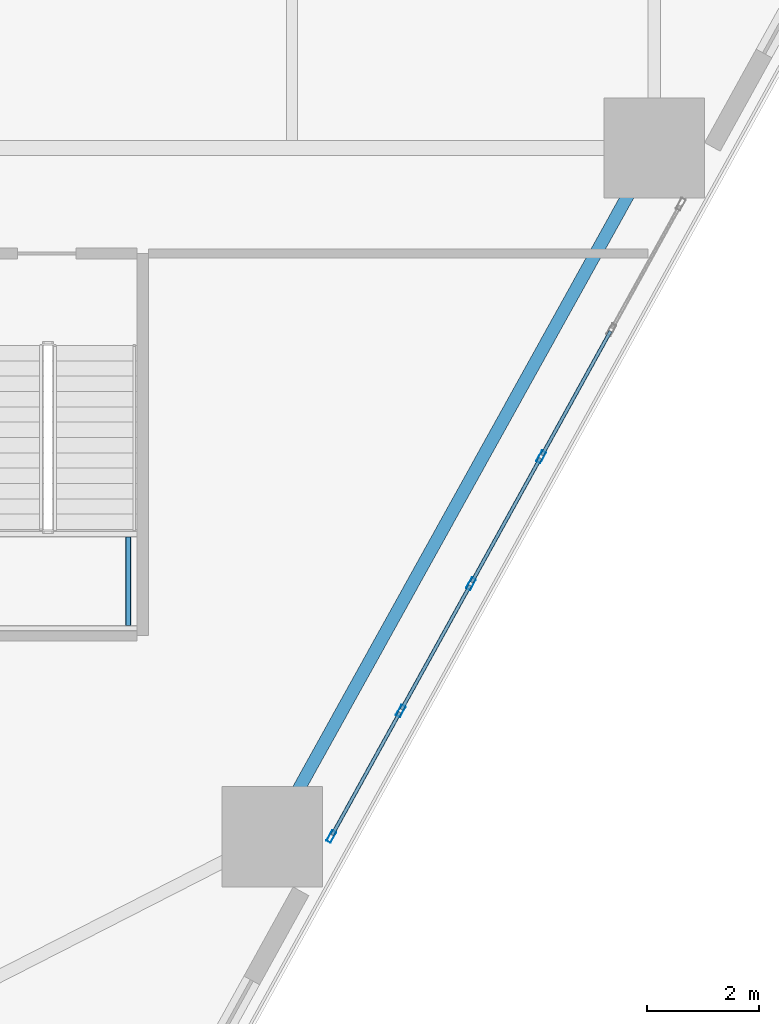
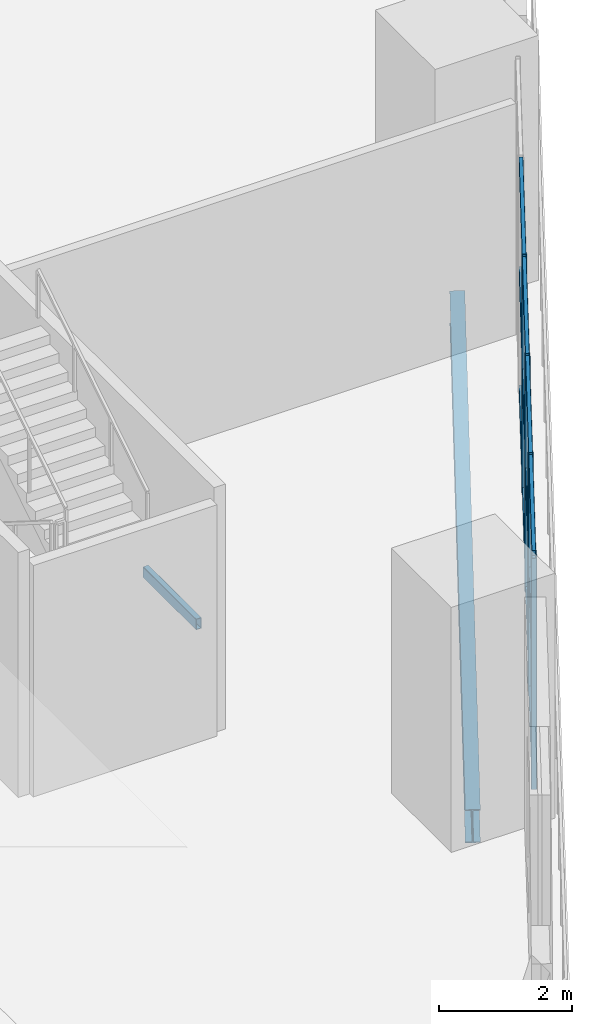
# One storey, part 2 of 18: 16 members, 2 beams, 1 element without a shape of its own.
"""IFC4 building model written with IfcOpenShell, lengths in metres."""

from ifc_helpers import new_model, si_unit, direction, frame, origin, origin_2d, place, context, subcontext, project, spatial, hollow_rectangle, i_section, extrude, material, layer, layer_set, material_profile, profile_set, type_object, element, aggregate, save


model = new_model("IFC4")

# Units and contexts
model_context = context("Model", 3, precision=1e-05, world=origin(), true_north=direction((0.0, 1.0)))
body_context = subcontext(model_context, "Body", "Model", "MODEL_VIEW")
ifc_project = project(units=[si_unit("LENGTHUNIT", "METRE"), si_unit("AREAUNIT", "SQUARE_METRE"), si_unit("VOLUMEUNIT", "CUBIC_METRE"), si_unit("PLANEANGLEUNIT", "RADIAN"), si_unit("MASSUNIT", "GRAM", prefix="KILO")], contexts=[model_context])

# Site, building, storey
site_placement = place(None, origin())
site = spatial("IfcSite", under=ifc_project, at=site_placement, CompositionType="ELEMENT")
building_placement = place(site_placement, origin())
building = spatial("IfcBuilding", under=site, at=building_placement, Name="Cinnabar Lancet Tower", CompositionType="ELEMENT")
storey_placement = place(building_placement, frame((0.0, 0.0, 10.5)))
storey = spatial("IfcBuildingStorey", under=building, at=storey_placement, Name="L02", CompositionType="ELEMENT", Elevation=10.5)

# Curtain wall, members
ifc_material_1 = material(Name="Thermally broken bronze-anodized aluminium and low-E glass", Category="aluminium")
ifc_layer = layer(ifc_material_1, 0.179931640625)
ifc_layer_set = layer_set([ifc_layer], Name="Thermally broken bronze-anodized aluminium and low-E glass")
curtain_wall_type = type_object("IfcCurtainWallType", Name="ENV-CW-SYS-02", PredefinedType="NOTDEFINED", material=ifc_layer_set)
curtain_wall_placement = place(storey_placement, origin())
curtain_wall = element("IfcCurtainWall", 1, at=curtain_wall_placement, inside=storey, type_object=curtain_wall_type, Name="L02 Face 2 Feature Curtain Wall", PredefinedType="NOTDEFINED")
ifc_material_2 = material(Name="Anodized architectural aluminium 6063-T6", Category="aluminium")
ifc_material_profile_1 = material_profile(ifc_material_2, hollow_rectangle(XDim=0.0849609375, YDim=0.219970703125, WallThickness=0.0048828125, InnerFilletRadius=0.00244140625, OuterFilletRadius=0.007568359375, at=origin_2d()), Name="CW-MUL 220x85x5")
ifc_profile_set_1 = profile_set([ifc_material_profile_1], Name="Anodized architectural aluminium 6063-T6")
member_type_1 = type_object("IfcMemberType", Name="ENV-CW-MUL-220", PredefinedType="MULLION", material=ifc_profile_set_1)
member_1_placement = place(storey_placement, frame((54.1005859375, 7.34619140625, 0.0), z_axis=(0.0, 0.0, 1.0), x_axis=(-0.875242391442, 0.48368456273, 0.0)))
member_1 = element("IfcMember", 2, at=member_1_placement, type_object=member_type_1, Name="CW-02 mullion 1", PredefinedType="MULLION", context=body_context, shape_type="SweptSolid", body=[
    extrude(hollow_rectangle(XDim=0.0849609375, YDim=0.219970703125, WallThickness=0.0048828125, InnerFilletRadius=0.00244140625, OuterFilletRadius=0.007568359375, at=origin_2d()), origin(), (0.0, 0.0, 1.0), 4.25),
])
member_2_placement = place(storey_placement, frame((55.344970703125, 9.59814453125, 0.0), z_axis=(0.0, 0.0, 1.0), x_axis=(-0.875242391442, 0.48368456273, 0.0)))
member_2 = element("IfcMember", 3, at=member_2_placement, type_object=member_type_1, Name="CW-02 mullion 2", PredefinedType="MULLION", context=body_context, shape_type="SweptSolid", body=[
    extrude(hollow_rectangle(XDim=0.0849609375, YDim=0.219970703125, WallThickness=0.0048828125, InnerFilletRadius=0.00244140625, OuterFilletRadius=0.007568359375, at=origin_2d()), origin(), (0.0, 0.0, 1.0), 4.25),
])
member_3_placement = place(storey_placement, frame((56.60400390625, 11.87646484375, 0.0), z_axis=(0.0, 0.0, 1.0), x_axis=(-0.875242391442, 0.48368456273, 0.0)))
member_3 = element("IfcMember", 4, at=member_3_placement, type_object=member_type_1, Name="CW-02 mullion 3", PredefinedType="MULLION", context=body_context, shape_type="SweptSolid", body=[
    extrude(hollow_rectangle(XDim=0.0849609375, YDim=0.219970703125, WallThickness=0.0048828125, InnerFilletRadius=0.00244140625, OuterFilletRadius=0.007568359375, at=origin_2d()), origin(), (0.0, 0.0, 1.0), 4.25),
])
member_4_placement = place(storey_placement, frame((57.863037109375, 14.154541015625, 0.0), z_axis=(0.0, 0.0, 1.0), x_axis=(-0.875242391442, 0.48368456273, 0.0)))
member_4 = element("IfcMember", 5, at=member_4_placement, type_object=member_type_1, Name="CW-02 mullion 4", PredefinedType="MULLION", context=body_context, shape_type="SweptSolid", body=[
    extrude(hollow_rectangle(XDim=0.0849609375, YDim=0.219970703125, WallThickness=0.0048828125, InnerFilletRadius=0.00244140625, OuterFilletRadius=0.007568359375, at=origin_2d()), origin(), (0.0, 0.0, 1.0), 4.25),
])
ifc_material_3 = material(Name="Anodized architectural aluminium 6063-T6", Category="aluminium")
ifc_material_profile_2 = material_profile(ifc_material_3, hollow_rectangle(XDim=0.06494140625, YDim=0.14990234375, WallThickness=0.00390625, InnerFilletRadius=0.001953125, OuterFilletRadius=0.006103515625, at=origin_2d()), Name="CW-TRN 150x65x4")
ifc_profile_set_2 = profile_set([ifc_material_profile_2], Name="Anodized architectural aluminium 6063-T6")
member_type_2 = type_object("IfcMemberType", Name="ENV-CW-TRN-160", PredefinedType="USERDEFINED", material=ifc_profile_set_2)
member_5_placement = place(storey_placement, frame((54.114990234375, 7.37255859375, 0.030029296875), z_axis=(0.483711571576, 0.875227465019, 0.0), x_axis=(-0.875227465019, 0.483711571576, 0.0)))
member_5 = element("IfcMember", 6, at=member_5_placement, type_object=member_type_2, Name="CW-02 transom 1.1", ObjectType="TRANSOM", PredefinedType="USERDEFINED", context=body_context, shape_type="SweptSolid", body=[
    extrude(hollow_rectangle(XDim=0.06494140625, YDim=0.14990234375, WallThickness=0.00390625, InnerFilletRadius=0.001953125, OuterFilletRadius=0.006103515625, at=origin_2d()), origin(), (0.0, 0.0, 1.0), 2.512939453125),
])
member_6_placement = place(storey_placement, frame((54.114990234375, 7.37255859375, 2.2099609375), z_axis=(0.483711571576, 0.875227465019, 0.0), x_axis=(-0.875227465019, 0.483711571576, 0.0)))
member_6 = element("IfcMember", 7, at=member_6_placement, type_object=member_type_2, Name="CW-02 transom 1.2", ObjectType="TRANSOM", PredefinedType="USERDEFINED", context=body_context, shape_type="SweptSolid", body=[
    extrude(hollow_rectangle(XDim=0.06494140625, YDim=0.14990234375, WallThickness=0.00390625, InnerFilletRadius=0.001953125, OuterFilletRadius=0.006103515625, at=origin_2d()), origin(), (0.0, 0.0, 1.0), 2.512939453125),
])
member_7_placement = place(storey_placement, frame((54.114990234375, 7.37255859375, 4.219970703125), z_axis=(0.483711571576, 0.875227465019, 0.0), x_axis=(-0.875227465019, 0.483711571576, 0.0)))
member_7 = element("IfcMember", 8, at=member_7_placement, type_object=member_type_2, Name="CW-02 transom 1.3", ObjectType="TRANSOM", PredefinedType="USERDEFINED", context=body_context, shape_type="SweptSolid", body=[
    extrude(hollow_rectangle(XDim=0.06494140625, YDim=0.14990234375, WallThickness=0.00390625, InnerFilletRadius=0.001953125, OuterFilletRadius=0.006103515625, at=origin_2d()), origin(), (0.0, 0.0, 1.0), 2.512939453125),
])
member_8_placement = place(storey_placement, frame((55.359619140625, 9.62451171875, 0.030029296875), z_axis=(0.483701595558, 0.875232978386, 0.0), x_axis=(-0.875232978386, 0.483701595558, 0.0)))
member_8 = element("IfcMember", 9, at=member_8_placement, type_object=member_type_2, Name="CW-02 transom 2.1", ObjectType="TRANSOM", PredefinedType="USERDEFINED", context=body_context, shape_type="SweptSolid", body=[
    extrude(hollow_rectangle(XDim=0.06494140625, YDim=0.14990234375, WallThickness=0.00390625, InnerFilletRadius=0.001953125, OuterFilletRadius=0.006103515625, at=origin_2d()), origin(), (0.0, 0.0, 1.0), 2.54296875),
])
member_9_placement = place(storey_placement, frame((55.359619140625, 9.62451171875, 2.2099609375), z_axis=(0.483701595558, 0.875232978386, 0.0), x_axis=(-0.875232978386, 0.483701595558, 0.0)))
member_9 = element("IfcMember", 10, at=member_9_placement, type_object=member_type_2, Name="CW-02 transom 2.2", ObjectType="TRANSOM", PredefinedType="USERDEFINED", context=body_context, shape_type="SweptSolid", body=[
    extrude(hollow_rectangle(XDim=0.06494140625, YDim=0.14990234375, WallThickness=0.00390625, InnerFilletRadius=0.001953125, OuterFilletRadius=0.006103515625, at=origin_2d()), origin(), (0.0, 0.0, 1.0), 2.54296875),
])
member_10_placement = place(storey_placement, frame((55.359619140625, 9.62451171875, 4.219970703125), z_axis=(0.483701595558, 0.875232978386, 0.0), x_axis=(-0.875232978386, 0.483701595558, 0.0)))
member_10 = element("IfcMember", 11, at=member_10_placement, type_object=member_type_2, Name="CW-02 transom 2.3", ObjectType="TRANSOM", PredefinedType="USERDEFINED", context=body_context, shape_type="SweptSolid", body=[
    extrude(hollow_rectangle(XDim=0.06494140625, YDim=0.14990234375, WallThickness=0.00390625, InnerFilletRadius=0.001953125, OuterFilletRadius=0.006103515625, at=origin_2d()), origin(), (0.0, 0.0, 1.0), 2.54296875),
])
member_11_placement = place(storey_placement, frame((56.618408203125, 11.902587890625, 0.030029296875), z_axis=(0.483660952196, 0.875255438898, 0.0), x_axis=(-0.875255438898, 0.483660952196, 0.0)))
member_11 = element("IfcMember", 12, at=member_11_placement, type_object=member_type_2, Name="CW-02 transom 3.1", ObjectType="TRANSOM", PredefinedType="USERDEFINED", context=body_context, shape_type="SweptSolid", body=[
    extrude(hollow_rectangle(XDim=0.06494140625, YDim=0.14990234375, WallThickness=0.00390625, InnerFilletRadius=0.001953125, OuterFilletRadius=0.006103515625, at=origin_2d()), origin(), (0.0, 0.0, 1.0), 2.54296875),
])
member_12_placement = place(storey_placement, frame((56.618408203125, 11.902587890625, 2.2099609375), z_axis=(0.483660952196, 0.875255438898, 0.0), x_axis=(-0.875255438898, 0.483660952196, 0.0)))
member_12 = element("IfcMember", 13, at=member_12_placement, type_object=member_type_2, Name="CW-02 transom 3.2", ObjectType="TRANSOM", PredefinedType="USERDEFINED", context=body_context, shape_type="SweptSolid", body=[
    extrude(hollow_rectangle(XDim=0.06494140625, YDim=0.14990234375, WallThickness=0.00390625, InnerFilletRadius=0.001953125, OuterFilletRadius=0.006103515625, at=origin_2d()), origin(), (0.0, 0.0, 1.0), 2.54296875),
])
member_13_placement = place(storey_placement, frame((56.618408203125, 11.902587890625, 4.219970703125), z_axis=(0.483660952196, 0.875255438898, 0.0), x_axis=(-0.875255438898, 0.483660952196, 0.0)))
member_13 = element("IfcMember", 14, at=member_13_placement, type_object=member_type_2, Name="CW-02 transom 3.3", ObjectType="TRANSOM", PredefinedType="USERDEFINED", context=body_context, shape_type="SweptSolid", body=[
    extrude(hollow_rectangle(XDim=0.06494140625, YDim=0.14990234375, WallThickness=0.00390625, InnerFilletRadius=0.001953125, OuterFilletRadius=0.006103515625, at=origin_2d()), origin(), (0.0, 0.0, 1.0), 2.54296875),
])
member_14_placement = place(storey_placement, frame((57.87744140625, 14.180908203125, 0.030029296875), z_axis=(0.483701595558, 0.875232978386, 0.0), x_axis=(-0.875232978386, 0.483701595558, 0.0)))
member_14 = element("IfcMember", 15, at=member_14_placement, type_object=member_type_2, Name="CW-02 transom 4.1", ObjectType="TRANSOM", PredefinedType="USERDEFINED", context=body_context, shape_type="SweptSolid", body=[
    extrude(hollow_rectangle(XDim=0.06494140625, YDim=0.14990234375, WallThickness=0.00390625, InnerFilletRadius=0.001953125, OuterFilletRadius=0.006103515625, at=origin_2d()), origin(), (0.0, 0.0, 1.0), 2.54296875),
])
member_15_placement = place(storey_placement, frame((57.87744140625, 14.180908203125, 2.2099609375), z_axis=(0.483701595558, 0.875232978386, 0.0), x_axis=(-0.875232978386, 0.483701595558, 0.0)))
member_15 = element("IfcMember", 16, at=member_15_placement, type_object=member_type_2, Name="CW-02 transom 4.2", ObjectType="TRANSOM", PredefinedType="USERDEFINED", context=body_context, shape_type="SweptSolid", body=[
    extrude(hollow_rectangle(XDim=0.06494140625, YDim=0.14990234375, WallThickness=0.00390625, InnerFilletRadius=0.001953125, OuterFilletRadius=0.006103515625, at=origin_2d()), origin(), (0.0, 0.0, 1.0), 2.54296875),
])
member_16_placement = place(storey_placement, frame((57.87744140625, 14.180908203125, 4.219970703125), z_axis=(0.483701595558, 0.875232978386, 0.0), x_axis=(-0.875232978386, 0.483701595558, 0.0)))
member_16 = element("IfcMember", 17, at=member_16_placement, type_object=member_type_2, Name="CW-02 transom 4.3", ObjectType="TRANSOM", PredefinedType="USERDEFINED", context=body_context, shape_type="SweptSolid", body=[
    extrude(hollow_rectangle(XDim=0.06494140625, YDim=0.14990234375, WallThickness=0.00390625, InnerFilletRadius=0.001953125, OuterFilletRadius=0.006103515625, at=origin_2d()), origin(), (0.0, 0.0, 1.0), 2.54296875),
])
aggregate(curtain_wall, [member_1, member_2, member_3, member_4, member_5, member_6, member_7, member_8, member_9, member_10, member_11, member_12, member_13, member_14, member_15, member_16])

# Beams
ifc_material_4 = material(Name="Structural steel S355", Category="steel")
ifc_material_profile_3 = material_profile(ifc_material_4, hollow_rectangle(XDim=0.10009765625, YDim=0.199951171875, WallThickness=0.008056640625, InnerFilletRadius=0.00390625, OuterFilletRadius=0.011962890625, at=origin_2d()), Name="RHS 200x100x8")
ifc_profile_set_3 = profile_set([ifc_material_profile_3], Name="Structural steel S355")
beam_type_1 = type_object("IfcBeamType", Name="STR-BM-LND-203", PredefinedType="BEAM", material=ifc_profile_set_3)
beam_1_placement = place(storey_placement, frame((50.4599609375, 11.1298828125, 1.949951171875), z_axis=(0.0, 1.0, 0.0), x_axis=(-1.0, 0.0, 0.0)))
element("IfcBeam", 18, at=beam_1_placement, inside=storey, type_object=beam_type_1, Name="L02 ST-4-L02 Landing Side Trimmer Beam", PredefinedType="BEAM", context=body_context, shape_type="SweptSolid", body=[
    extrude(hollow_rectangle(XDim=0.10009765625, YDim=0.199951171875, WallThickness=0.008056640625, InnerFilletRadius=0.00390625, OuterFilletRadius=0.011962890625, at=origin_2d()), origin(), (0.0, 0.0, 1.0), 1.590087890625),
])
ifc_material_5 = material(Name="Structural steel S355", Category="steel")
ifc_material_profile_4 = material_profile(ifc_material_5, i_section(OverallWidth=0.228271484375, OverallDepth=0.607666015625, WebThickness=0.010986328125, FlangeThickness=0.017333984375, FilletRadius=0.0126953125, at=origin_2d()), Name="UKB 610x229x113")
ifc_profile_set_4 = profile_set([ifc_material_profile_4], Name="Structural steel S355")
beam_type_2 = type_object("IfcBeamType", Name="STR-BM-SPN-610", PredefinedType="SPANDREL", material=ifc_profile_set_4)
beam_2_placement = place(storey_placement, frame((53.1640625, 7.56298828125, -0.553955078125), z_axis=(0.485044660428, 0.874489380947, 0.0), x_axis=(-0.874489380947, 0.485044660428, 0.0)))
element("IfcBeam", 19, at=beam_2_placement, inside=storey, type_object=beam_type_2, Name="L02 Perimeter Spandrel 3", PredefinedType="SPANDREL", context=body_context, shape_type="SweptSolid", body=[
    extrude(i_section(OverallWidth=0.228271484375, OverallDepth=0.607666015625, WebThickness=0.010986328125, FlangeThickness=0.017333984375, FilletRadius=0.0126953125, at=origin_2d()), origin(), (0.0, 0.0, 1.0), 13.619384765625),
])

save(model, "model.ifc")
